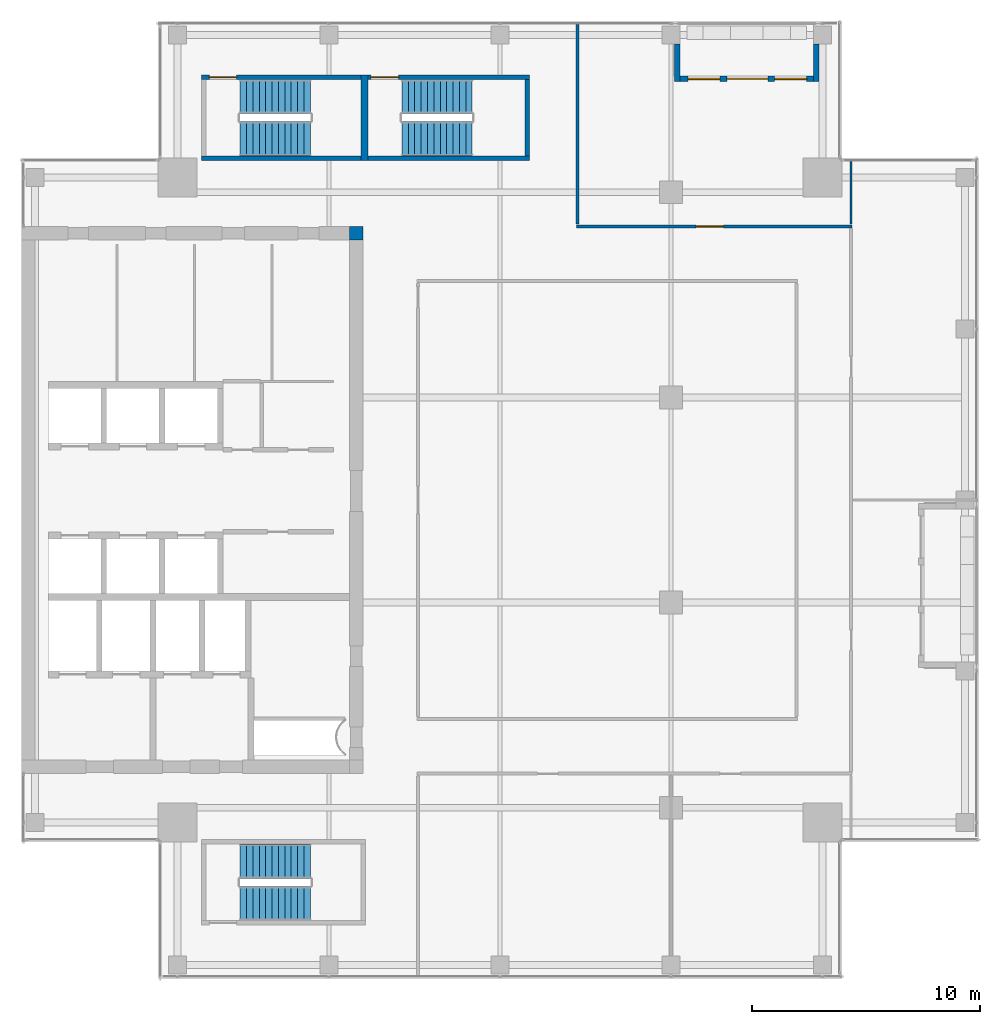
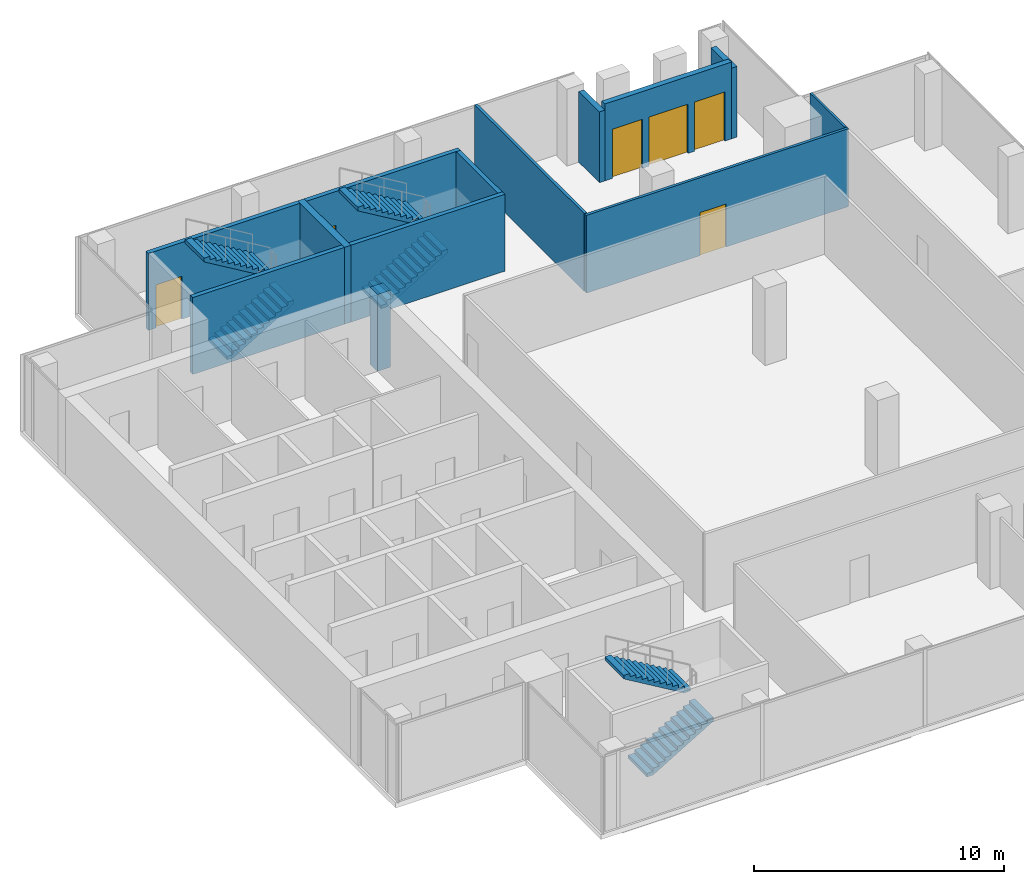
# One storey, part 27 of 29: 13 walls, 6 stair flights, 4 doors, 2 windows, 6 openings, 3 elements without a shape of their own.
"""IFC4 building model written with IfcOpenShell, lengths in metres."""

from ifc_helpers import new_model, si_unit, direction, frame, frame_2d, origin, place, context, subcontext, project, spatial, polyline, rectangle, outline, extrude, source, transform, mapped, material, layer, layer_set, type_object, element, fill, aggregate, save


model = new_model("IFC4")

# Units and contexts
model_context = context("Model", 3, precision=1e-05, world=origin(), true_north=direction((0.0, 1.0)))
body_context = subcontext(model_context, "Body", "Model", "MODEL_VIEW")
ifc_project = project(units=[si_unit("LENGTHUNIT", "METRE"), si_unit("AREAUNIT", "SQUARE_METRE"), si_unit("VOLUMEUNIT", "CUBIC_METRE"), si_unit("PLANEANGLEUNIT", "RADIAN"), si_unit("MASSUNIT", "GRAM", prefix="KILO")], contexts=[model_context])

# Site, building, storey
site_placement = place(None, origin())
site = spatial("IfcSite", under=ifc_project, at=site_placement, CompositionType="ELEMENT")
building_placement = place(site_placement, origin())
building = spatial("IfcBuilding", under=site, at=building_placement, Name="Khomas Fold Tower", CompositionType="ELEMENT")
storey_placement = place(building_placement, frame((0.0, 0.0, 322.199951171875)))
storey = spatial("IfcBuildingStorey", under=building, at=storey_placement, Name="L73", CompositionType="ELEMENT", Elevation=322.199951171875)

# Wall, opening, door
ifc_material_1 = material(Name="Concrete C50/60", Category="concrete")
ifc_layer_1 = layer(ifc_material_1, 0.199951171875)
ifc_layer_set_1 = layer_set([ifc_layer_1], Name="Concrete C50/60")
wall_type_1 = type_object("IfcWallType", Name="Stair wall 200", PredefinedType="SHEAR", material=ifc_layer_set_1)
shared_shape_1 = source(origin(), body_context, "Body", "SweptSolid", [
    extrude(rectangle(XDim=7.0, YDim=0.199951171875, at=frame_2d((3.5, 0.0))), origin(), (0.0, 0.0, 1.0), 3.75),
])
wall_1_placement = place(storey_placement, frame((13.89990234375, 45.550048828125, 0.0), z_axis=(0.0, 0.0, 1.0), x_axis=(1.0, 0.0, 0.0)))
wall_1 = element("IfcWall", 1, at=wall_1_placement, inside=storey, type_object=wall_type_1, Name="Stair wall SW-ST1-N", PredefinedType="SHEAR", context=body_context, shape_type="MappedRepresentation", body=[
    mapped(shared_shape_1, transform((0.0, 0.0, 0.0))),
])
shared_shape_2 = source(origin(), body_context, "Body", "SweptSolid", [
    extrude(rectangle(XDim=1.199951171875, YDim=2.10009765625, at=frame_2d((0.60009765625, 1.050048828125))), frame((0.0, 0.10986328125, 0.0), z_axis=(0.0, -1.0, 0.0), x_axis=(1.0, 0.0, 0.0)), (0.0, 0.0, 1.0), 0.219970703125),
])
opening_1_placement = place(wall_1_placement, frame((0.35009765625, 0.0, 0.0)))
opening_1 = element("IfcOpeningElement", 2, at=opening_1_placement, cuts=wall_1, Name="Opening SD-ST1", PredefinedType="OPENING", context=body_context, shape_type="MappedRepresentation", body=[
    mapped(shared_shape_2, transform((0.0, 0.0, 0.0))),
])
ifc_material_2 = material(Name="Steel door leaf", Category="steel")
door_type_1 = type_object("IfcDoorType", Name="Stair door 1200x2100 left-hand", OperationType="SINGLE_SWING_LEFT", PredefinedType="DOOR", material=ifc_material_2)
shared_shape_3 = source(origin(), body_context, "Body", "SweptSolid", [
    extrude(rectangle(XDim=1.199951171875, YDim=2.10009765625, at=frame_2d((0.60009765625, 1.050048828125))), frame((0.0, 0.02490234375, 0.0), z_axis=(0.0, -1.0, 0.0), x_axis=(1.0, 0.0, 0.0)), (0.0, 0.0, 1.0), 0.050048828125),
])
door_1_placement = place(opening_1_placement, origin())
door_1 = element("IfcDoor", 3, at=door_1_placement, inside=storey, type_object=door_type_1, Name="Stair door", OperationType="SINGLE_SWING_LEFT", OverallHeight=2.10009765625, OverallWidth=1.199951171875, PredefinedType="DOOR", context=body_context, shape_type="MappedRepresentation", body=[
    mapped(shared_shape_3, transform((0.0, 0.0, 0.0))),
])
fill(opening_1, door_1)

# Wall
wall_2_placement = place(storey_placement, frame((13.89990234375, 42.0, 0.0), z_axis=(0.0, 0.0, 1.0), x_axis=(1.0, 0.0, 0.0)))
element("IfcWall", 4, at=wall_2_placement, inside=storey, type_object=wall_type_1, Name="Stair wall SW-ST1-S", PredefinedType="SHEAR", context=body_context, shape_type="MappedRepresentation", body=[
    mapped(shared_shape_1, transform((0.0, 0.0, 0.0))),
])

# Wall, opening, door
shared_shape_4 = source(origin(), body_context, "Body", "SweptSolid", [
    extrude(rectangle(XDim=7.10009765625, YDim=0.199951171875, at=frame_2d((3.550048828125, 0.0))), origin(), (0.0, 0.0, 1.0), 3.75),
])
wall_3_placement = place(storey_placement, frame((21.199951171875, 45.550048828125, 0.0), z_axis=(0.0, 0.0, 1.0), x_axis=(1.0, 0.0, 0.0)))
wall_3 = element("IfcWall", 5, at=wall_3_placement, inside=storey, type_object=wall_type_1, Name="Stair wall SW-ST3-N", PredefinedType="SHEAR", context=body_context, shape_type="MappedRepresentation", body=[
    mapped(shared_shape_4, transform((0.0, 0.0, 0.0))),
])
opening_2_placement = place(wall_3_placement, frame((0.14990234375, 0.0, 0.0)))
opening_2 = element("IfcOpeningElement", 6, at=opening_2_placement, cuts=wall_3, Name="Opening SD-ST3", PredefinedType="OPENING", context=body_context, shape_type="MappedRepresentation", body=[
    mapped(shared_shape_2, transform((0.0, 0.0, 0.0))),
])
door_2_placement = place(opening_2_placement, origin())
door_2 = element("IfcDoor", 7, at=door_2_placement, inside=storey, type_object=door_type_1, Name="Stair door", OperationType="SINGLE_SWING_LEFT", OverallHeight=2.10009765625, OverallWidth=1.199951171875, PredefinedType="DOOR", context=body_context, shape_type="MappedRepresentation", body=[
    mapped(shared_shape_3, transform((0.0, 0.0, 0.0))),
])
fill(opening_2, door_2)

# Walls
wall_4_placement = place(storey_placement, frame((21.199951171875, 42.0, 0.0), z_axis=(0.0, 0.0, 1.0), x_axis=(1.0, 0.0, 0.0)))
element("IfcWall", 8, at=wall_4_placement, inside=storey, type_object=wall_type_1, Name="Stair wall SW-ST3-S", PredefinedType="SHEAR", context=body_context, shape_type="MappedRepresentation", body=[
    mapped(shared_shape_4, transform((0.0, 0.0, 0.0))),
])
ifc_material_3 = material(Name="Concrete C50/60", Category="concrete")
ifc_layer_2 = layer(ifc_material_3, 0.300048828125)
ifc_layer_set_2 = layer_set([ifc_layer_2], Name="Concrete C50/60")
wall_type_2 = type_object("IfcWallType", Name="Stair wall 300", PredefinedType="SHEAR", material=ifc_layer_set_2)
shared_shape_5 = source(origin(), body_context, "Body", "SweptSolid", [
    extrude(rectangle(XDim=3.75, YDim=0.300048828125, at=frame_2d((1.875, 0.0))), origin(), (0.0, 0.0, 1.0), 3.75),
])
wall_5_placement = place(storey_placement, frame((21.050048828125, 41.89990234375, 0.0), z_axis=(0.0, 0.0, 1.0), x_axis=(0.0, 1.0, 0.0)))
element("IfcWall", 9, at=wall_5_placement, inside=storey, type_object=wall_type_2, Name="Stair wall SW-ST1-E", PredefinedType="SHEAR", context=body_context, shape_type="MappedRepresentation", body=[
    mapped(shared_shape_5, transform((0.0, 0.0, 0.0))),
])
shared_shape_6 = source(origin(), body_context, "Body", "SweptSolid", [
    extrude(rectangle(XDim=3.349853515625, YDim=0.199951171875, at=frame_2d((1.6748046875, 0.0))), origin(), (0.0, 0.0, 1.0), 3.75),
])
wall_6_placement = place(storey_placement, frame((28.199951171875, 42.10009765625, 0.0), z_axis=(0.0, 0.0, 1.0), x_axis=(0.0, 1.0, 0.0)))
element("IfcWall", 10, at=wall_6_placement, inside=storey, type_object=wall_type_1, Name="Stair wall SW-ST3-E", PredefinedType="SHEAR", context=body_context, shape_type="MappedRepresentation", body=[
    mapped(shared_shape_6, transform((0.0, 0.0, 0.0))),
])
ifc_material_4 = material(Name="Concrete C50/60", Category="concrete")
ifc_layer_3 = layer(ifc_material_4, 0.60009765625)
ifc_layer_set_3 = layer_set([ifc_layer_3], Name="Concrete C50/60")
wall_type_3 = type_object("IfcWallType", Name="Core corner wall 600", PredefinedType="SHEAR", material=ifc_layer_set_3)
shared_shape_7 = source(origin(), body_context, "Body", "SweptSolid", [
    extrude(rectangle(XDim=0.60009765625, YDim=0.60009765625, at=frame_2d((0.300048828125, 0.0))), origin(), (0.0, 0.0, 1.0), 3.75),
])
wall_7_placement = place(storey_placement, frame((20.39990234375, 38.699951171875, 0.0), z_axis=(0.0, 0.0, 1.0), x_axis=(1.0, 0.0, 0.0)))
element("IfcWall", 11, at=wall_7_placement, inside=storey, type_object=wall_type_3, Name="Core wall CW-U-NE-L63", PredefinedType="SHEAR", context=body_context, shape_type="MappedRepresentation", body=[
    mapped(shared_shape_7, transform((0.0, 0.0, 0.0))),
])

# Wall, openings, door, windows
ifc_material_5 = material(Name="Natural stone", Category="masonry")
ifc_layer_4 = layer(ifc_material_5, 0.0400390625)
ifc_material_6 = material(Name="Mineral wool insulation", Category="insulation")
ifc_layer_5 = layer(ifc_material_6, 0.10009765625)
ifc_material_7 = material(Name="Masonry", Category="masonry")
ifc_layer_6 = layer(ifc_material_7, 0.110107421875)
ifc_layer_set_4 = layer_set([ifc_layer_4, ifc_layer_5, ifc_layer_6], Name="Stone-faced insulated masonry")
wall_type_4 = type_object("IfcWallType", Name="BL-Balcony wall", PredefinedType="SOLIDWALL", material=ifc_layer_set_4)
shared_shape_8 = source(origin(), body_context, "Body", "SweptSolid", [
    extrude(rectangle(XDim=5.85009765625, YDim=0.25, at=frame_2d((2.925048828125, 0.0))), origin(), (0.0, 0.0, 1.0), 3.75),
])
wall_8_placement = place(storey_placement, frame((34.89990234375, 45.47509765625, 0.0), z_axis=(0.0, 0.0, 1.0), x_axis=(1.0, 0.0, 0.0)))
wall_8 = element("IfcWall", 12, at=wall_8_placement, inside=storey, type_object=wall_type_4, Name="Balcony wall BAL-L73-N4", PredefinedType="SOLIDWALL", context=body_context, shape_type="MappedRepresentation", body=[
    mapped(shared_shape_8, transform((0.0, 0.0, 0.0))),
])
shared_shape_9 = source(origin(), body_context, "Body", "SweptSolid", [
    extrude(rectangle(XDim=1.39990234375, YDim=2.39990234375, at=frame_2d((0.699951171875, 1.199951171875))), frame((0.0, 0.135009765625, 0.0), z_axis=(0.0, -1.0, 0.0), x_axis=(1.0, 0.0, 0.0)), (0.0, 0.0, 1.0), 0.27001953125),
])
opening_3_placement = place(wall_8_placement, frame((0.35009765625, 0.0, 0.0)))
opening_3 = element("IfcOpeningElement", 13, at=opening_3_placement, cuts=wall_8, Name="Opening BL-W6", PredefinedType="OPENING", context=body_context, shape_type="MappedRepresentation", body=[
    mapped(shared_shape_9, transform((0.0, 0.0, 0.0))),
])
opening_4_placement = place(wall_8_placement, frame((4.14990234375, 0.0, 0.0)))
opening_4 = element("IfcOpeningElement", 14, at=opening_4_placement, cuts=wall_8, Name="Opening BL-W6", PredefinedType="OPENING", context=body_context, shape_type="MappedRepresentation", body=[
    mapped(shared_shape_9, transform((0.0, 0.0, 0.0))),
])
shared_shape_10 = source(origin(), body_context, "Body", "SweptSolid", [
    extrude(rectangle(XDim=1.800048828125, YDim=2.39990234375, at=frame_2d((0.89990234375, 1.199951171875))), frame((0.0, 0.135009765625, 0.0), z_axis=(0.0, -1.0, 0.0), x_axis=(1.0, 0.0, 0.0)), (0.0, 0.0, 1.0), 0.27001953125),
])
opening_5_placement = place(wall_8_placement, frame((2.050048828125, 0.0, 0.0)))
opening_5 = element("IfcOpeningElement", 15, at=opening_5_placement, cuts=wall_8, Name="Opening BD732", PredefinedType="OPENING", context=body_context, shape_type="MappedRepresentation", body=[
    mapped(shared_shape_10, transform((0.0, 0.0, 0.0))),
])
ifc_material_8 = material(Name="Aluminium framed double glazing", Category="aluminium")
door_type_2 = type_object("IfcDoorType", Name="BL-Glazed balcony door 1800 x 2400", OperationType="DOUBLE_DOOR_DOUBLE_SWING", PredefinedType="DOOR", material=ifc_material_8)
shared_shape_11 = source(origin(), body_context, "Body", "SweptSolid", [
    extrude(rectangle(XDim=1.800048828125, YDim=2.39990234375, at=frame_2d((0.89990234375, 1.199951171875))), frame((0.0, 0.02490234375, 0.0), z_axis=(0.0, -1.0, 0.0), x_axis=(1.0, 0.0, 0.0)), (0.0, 0.0, 1.0), 0.050048828125),
])
door_3_placement = place(opening_5_placement, origin())
door_3 = element("IfcDoor", 16, at=door_3_placement, inside=storey, type_object=door_type_2, Name="Balcony door BD732", OperationType="DOUBLE_DOOR_DOUBLE_SWING", OverallHeight=2.39990234375, OverallWidth=1.800048828125, PredefinedType="DOOR", context=body_context, shape_type="MappedRepresentation", body=[
    mapped(shared_shape_11, transform((0.0, 0.0, 0.0))),
])
fill(opening_5, door_3)
ifc_material_9 = material(Name="Aluminium framed double glazing", Category="aluminium")
window_type = type_object("IfcWindowType", Name="BL-Fixed glazing 1400 x 2400", PartitioningType="SINGLE_PANEL", PredefinedType="WINDOW", material=ifc_material_9)
shared_shape_12 = source(origin(), body_context, "Body", "SweptSolid", [
    extrude(rectangle(XDim=1.39990234375, YDim=2.39990234375, at=frame_2d((0.699951171875, 1.199951171875))), frame((0.0, 0.030029296875, 0.0), z_axis=(0.0, -1.0, 0.0), x_axis=(1.0, 0.0, 0.0)), (0.0, 0.0, 1.0), 0.06005859375),
])
window_1_placement = place(opening_3_placement, origin())
window_1 = element("IfcWindow", 17, at=window_1_placement, inside=storey, type_object=window_type, Name="Balcony glazing BAL-L73-N4-1", OverallHeight=2.39990234375, OverallWidth=1.39990234375, PartitioningType="SINGLE_PANEL", PredefinedType="WINDOW", context=body_context, shape_type="MappedRepresentation", body=[
    mapped(shared_shape_12, transform((0.0, 0.0, 0.0))),
])
fill(opening_3, window_1)
window_2_placement = place(opening_4_placement, origin())
window_2 = element("IfcWindow", 18, at=window_2_placement, inside=storey, type_object=window_type, Name="Balcony glazing BAL-L73-N4-2", OverallHeight=2.39990234375, OverallWidth=1.39990234375, PartitioningType="SINGLE_PANEL", PredefinedType="WINDOW", context=body_context, shape_type="MappedRepresentation", body=[
    mapped(shared_shape_12, transform((0.0, 0.0, 0.0))),
])
fill(opening_4, window_2)

# Walls
shared_shape_13 = source(origin(), body_context, "Body", "SweptSolid", [
    extrude(rectangle(XDim=1.64990234375, YDim=0.25, at=frame_2d((0.824951171875, 0.0))), origin(), (0.0, 0.0, 1.0), 3.449951171875),
])
for number, where, z_axis, x_axis, name in (
    (19, (34.77490234375, 47.0, 0.0), (0.0, 0.0, 1.0), (0.0, -1.0, 0.0), "Balcony return wall BAL-L73-N4-lo"),
    (20, (40.875, 47.0, 0.0), (0.0, 0.0, 1.0), (0.0, -1.0, 0.0), "Balcony return wall BAL-L73-N4-hi"),
):
    element("IfcWall", number, at=place(storey_placement, frame(where, z_axis=z_axis, x_axis=x_axis)), inside=storey, type_object=wall_type_4, Name=name, PredefinedType="SOLIDWALL", context=body_context, shape_type="MappedRepresentation", body=[
        mapped(shared_shape_13, transform((0.0, 0.0, 0.0))),
    ])
ifc_material_10 = material(Name="Plasterboard partition")
ifc_layer_7 = layer(ifc_material_10, 0.125)
ifc_layer_set_5 = layer_set([ifc_layer_7], Name="Plasterboard partition")
wall_type_5 = type_object("IfcWallType", Name="Partition PW2 125", PredefinedType="PARTITIONING", material=ifc_layer_set_5)
shared_shape_14 = source(origin(), body_context, "Body", "SweptSolid", [
    extrude(rectangle(XDim=8.75, YDim=0.125, at=frame_2d((4.375, 0.0))), origin(), (0.0, 0.0, 1.0), 3.800048828125),
])
wall_9_placement = place(storey_placement, frame((30.39990234375, 39.10009765625, 0.0), z_axis=(0.0, 0.0, 1.0), x_axis=(0.0, 1.0, 0.0)))
element("IfcWall", 21, at=wall_9_placement, inside=storey, type_object=wall_type_5, Name="Partition", PredefinedType="PARTITIONING", context=body_context, shape_type="MappedRepresentation", body=[
    mapped(shared_shape_14, transform((0.0, 0.0, 0.0))),
])
ifc_material_11 = material(Name="Plasterboard partition")
ifc_layer_8 = layer(ifc_material_11, 0.10009765625)
ifc_layer_set_6 = layer_set([ifc_layer_8], Name="Plasterboard partition")
wall_type_6 = type_object("IfcWallType", Name="Partition PW1 100", PredefinedType="PARTITIONING", material=ifc_layer_set_6)
shared_shape_15 = source(origin(), body_context, "Body", "SweptSolid", [
    extrude(rectangle(XDim=2.75, YDim=0.10009765625, at=frame_2d((1.375, 0.0))), origin(), (0.0, 0.0, 1.0), 3.800048828125),
])
wall_10_placement = place(storey_placement, frame((42.39990234375, 39.10009765625, 0.0), z_axis=(0.0, 0.0, 1.0), x_axis=(0.0, 1.0, 0.0)))
element("IfcWall", 22, at=wall_10_placement, inside=storey, type_object=wall_type_6, Name="Partition", PredefinedType="PARTITIONING", context=body_context, shape_type="MappedRepresentation", body=[
    mapped(shared_shape_15, transform((0.0, 0.0, 0.0))),
])

# Wall, opening, door
shared_shape_16 = source(origin(), body_context, "Body", "SweptSolid", [
    extrude(rectangle(XDim=12.099853515625, YDim=0.125, at=frame_2d((6.0498046875, 0.0))), origin(), (0.0, 0.0, 1.0), 3.800048828125),
])
wall_11_placement = place(storey_placement, frame((30.35009765625, 39.0, 0.0), z_axis=(0.0, 0.0, 1.0), x_axis=(1.0, 0.0, 0.0)))
wall_11 = element("IfcWall", 23, at=wall_11_placement, inside=storey, type_object=wall_type_5, Name="Partition", PredefinedType="PARTITIONING", context=body_context, shape_type="MappedRepresentation", body=[
    mapped(shared_shape_16, transform((0.0, 0.0, 0.0))),
])
shared_shape_17 = source(origin(), body_context, "Body", "SweptSolid", [
    extrude(rectangle(XDim=1.199951171875, YDim=2.10009765625, at=frame_2d((0.60009765625, 1.050048828125))), frame((0.0, 0.072509765625, 0.0), z_axis=(0.0, -1.0, 0.0), x_axis=(1.0, 0.0, 0.0)), (0.0, 0.0, 1.0), 0.14501953125),
])
opening_6_placement = place(wall_11_placement, frame((5.25, 0.0, 0.0)))
opening_6 = element("IfcOpeningElement", 24, at=opening_6_placement, cuts=wall_11, Name="Opening 0013", PredefinedType="OPENING", context=body_context, shape_type="MappedRepresentation", body=[
    mapped(shared_shape_17, transform((0.0, 0.0, 0.0))),
])
ifc_material_12 = material(Name="Timber door leaf", Category="wood")
door_type_3 = type_object("IfcDoorType", Name="Door 1200x2100 left-hand", OperationType="SINGLE_SWING_LEFT", PredefinedType="DOOR", material=ifc_material_12)
door_4_placement = place(opening_6_placement, origin())
door_4 = element("IfcDoor", 25, at=door_4_placement, inside=storey, type_object=door_type_3, Name="Door", OperationType="SINGLE_SWING_LEFT", OverallHeight=2.10009765625, OverallWidth=1.199951171875, PredefinedType="DOOR", context=body_context, shape_type="MappedRepresentation", body=[
    mapped(shared_shape_3, transform((0.0, 0.0, 0.0))),
])
fill(opening_6, door_4)

# Stair, stair flights
ifc_material_13 = material(Name="Concrete C40/50", Category="concrete")
stair_type_1 = type_object("IfcStairType", Name="Stair ST1", PredefinedType="HALF_TURN_STAIR", material=ifc_material_13)
stair_1_placement = place(storey_placement, origin())
stair_1 = element("IfcStair", 26, at=stair_1_placement, inside=storey, type_object=stair_type_1, Name="L73 ST1", PredefinedType="HALF_TURN_STAIR")
ifc_material_14 = material(Name="Concrete C40/50", Category="concrete")
stair_flight_type_1 = type_object("IfcStairFlightType", Name="Stair flight 1500 ST1", PredefinedType="STRAIGHT", material=ifc_material_14)
shared_shape_18 = source(origin(), body_context, "Body", "SweptSolid", [
    extrude(outline(polyline([(0.0, 0.0), (0.0, 0.012939453125), (0.0, 0.025634765625), (0.0, 0.03857421875), (0.0, 0.05126953125), (0.0, 0.064208984375), (0.0, 0.076904296875), (0.0, 0.08984375), (0.0, 0.1025390625), (0.0, 0.115478515625), (0.0, 0.128173828125), (0.0, 0.14111328125), (0.0, 0.15380859375), (0.0, 0.166748046875), (0.280029296875, 0.166748046875), (0.280029296875, 0.333251953125), (0.56005859375, 0.333251953125), (0.56005859375, 0.5), (0.840087890625, 0.5), (0.840087890625, 0.666748046875), (1.1201171875, 0.666748046875), (1.1201171875, 0.833251953125), (1.39990234375, 0.833251953125), (1.39990234375, 1.0), (1.679931640625, 1.0), (1.679931640625, 1.166748046875), (1.9599609375, 1.166748046875), (1.9599609375, 1.333251953125), (2.239990234375, 1.333251953125), (2.239990234375, 1.5), (2.52001953125, 1.5), (2.52001953125, 1.666748046875), (2.800048828125, 1.666748046875), (2.800048828125, 1.833251953125), (3.080078125, 1.833251953125), (3.080078125, 2.0), (3.080078125, 1.973876953125), (3.080078125, 1.947509765625), (3.080078125, 1.92138671875), (3.080078125, 1.89501953125), (3.080078125, 1.868896484375), (3.080078125, 1.842529296875), (3.080078125, 1.81640625), (3.080078125, 1.7900390625), (3.080078125, 1.763916015625), (3.080078125, 1.737548828125), (3.080078125, 1.71142578125), (3.080078125, 1.68505859375), (3.080078125, 1.658935546875), (0.29296875, 0.0), (0.0, 0.0)])), frame((0.0, 0.75, 0.0), z_axis=(0.0, -1.0, 0.0), x_axis=(1.0, 0.0, 0.0)), (0.0, 0.0, 1.0), 1.5),
])
stair_flight_1_placement = place(storey_placement, frame((15.60009765625, 42.85009765625, 0.0), z_axis=(0.0, 0.0, 1.0), x_axis=(1.0, 0.0, 0.0)))
stair_flight_1 = element("IfcStairFlight", 27, at=stair_flight_1_placement, type_object=stair_flight_type_1, Name="ST1 flight 1", NumberOfRisers=12, NumberOfTreads=11, PredefinedType="STRAIGHT", RiserHeight=0.166666667, TreadLength=0.28, context=body_context, shape_type="MappedRepresentation", body=[
    mapped(shared_shape_18, transform((0.0, 0.0, 0.0))),
])
stair_flight_2_placement = place(storey_placement, frame((18.679931640625, 44.699951171875, 2.0), z_axis=(0.0, 0.0, 1.0), x_axis=(-1.0, 0.0, 0.0)))
stair_flight_2 = element("IfcStairFlight", 28, at=stair_flight_2_placement, type_object=stair_flight_type_1, Name="ST1 flight 2", NumberOfRisers=12, NumberOfTreads=11, PredefinedType="STRAIGHT", RiserHeight=0.166666667, TreadLength=0.28, context=body_context, shape_type="MappedRepresentation", body=[
    mapped(shared_shape_18, transform((0.0, 0.0, 0.0))),
])
aggregate(stair_1, [stair_flight_1, stair_flight_2])

ifc_material_15 = material(Name="Concrete C40/50", Category="concrete")
stair_type_2 = type_object("IfcStairType", Name="Stair ST2", PredefinedType="HALF_TURN_STAIR", material=ifc_material_15)
stair_2_placement = place(storey_placement, origin())
stair_2 = element("IfcStair", 29, at=stair_2_placement, inside=storey, type_object=stair_type_2, Name="L73 ST2", PredefinedType="HALF_TURN_STAIR")
ifc_material_16 = material(Name="Concrete C40/50", Category="concrete")
stair_flight_type_2 = type_object("IfcStairFlightType", Name="Stair flight 1500 ST2", PredefinedType="STRAIGHT", material=ifc_material_16)
stair_flight_3_placement = place(storey_placement, frame((15.60009765625, 9.300048828125, 0.0), z_axis=(0.0, 0.0, 1.0), x_axis=(1.0, 0.0, 0.0)))
stair_flight_3 = element("IfcStairFlight", 30, at=stair_flight_3_placement, type_object=stair_flight_type_2, Name="ST2 flight 1", NumberOfRisers=12, NumberOfTreads=11, PredefinedType="STRAIGHT", RiserHeight=0.166666667, TreadLength=0.28, context=body_context, shape_type="MappedRepresentation", body=[
    mapped(shared_shape_18, transform((0.0, 0.0, 0.0))),
])
stair_flight_4_placement = place(storey_placement, frame((18.679931640625, 11.14990234375, 2.0), z_axis=(0.0, 0.0, 1.0), x_axis=(-1.0, 0.0, 0.0)))
stair_flight_4 = element("IfcStairFlight", 31, at=stair_flight_4_placement, type_object=stair_flight_type_2, Name="ST2 flight 2", NumberOfRisers=12, NumberOfTreads=11, PredefinedType="STRAIGHT", RiserHeight=0.166666667, TreadLength=0.28, context=body_context, shape_type="MappedRepresentation", body=[
    mapped(shared_shape_18, transform((0.0, 0.0, 0.0))),
])
aggregate(stair_2, [stair_flight_3, stair_flight_4])

ifc_material_17 = material(Name="Concrete C40/50", Category="concrete")
stair_type_3 = type_object("IfcStairType", Name="Stair ST3", PredefinedType="HALF_TURN_STAIR", material=ifc_material_17)
stair_3_placement = place(storey_placement, origin())
stair_3 = element("IfcStair", 32, at=stair_3_placement, inside=storey, type_object=stair_type_3, Name="L73 ST3", PredefinedType="HALF_TURN_STAIR")
ifc_material_18 = material(Name="Concrete C40/50", Category="concrete")
stair_flight_type_3 = type_object("IfcStairFlightType", Name="Stair flight 1500 ST3", PredefinedType="STRAIGHT", material=ifc_material_18)
stair_flight_5_placement = place(storey_placement, frame((22.699951171875, 42.85009765625, 0.0), z_axis=(0.0, 0.0, 1.0), x_axis=(1.0, 0.0, 0.0)))
stair_flight_5 = element("IfcStairFlight", 33, at=stair_flight_5_placement, type_object=stair_flight_type_3, Name="ST3 flight 1", NumberOfRisers=12, NumberOfTreads=11, PredefinedType="STRAIGHT", RiserHeight=0.166666667, TreadLength=0.28, context=body_context, shape_type="MappedRepresentation", body=[
    mapped(shared_shape_18, transform((0.0, 0.0, 0.0))),
])
stair_flight_6_placement = place(storey_placement, frame((25.780029296875, 44.699951171875, 2.0), z_axis=(0.0, 0.0, 1.0), x_axis=(-1.0, 0.0, 0.0)))
stair_flight_6 = element("IfcStairFlight", 34, at=stair_flight_6_placement, type_object=stair_flight_type_3, Name="ST3 flight 2", NumberOfRisers=12, NumberOfTreads=11, PredefinedType="STRAIGHT", RiserHeight=0.166666667, TreadLength=0.28, context=body_context, shape_type="MappedRepresentation", body=[
    mapped(shared_shape_18, transform((0.0, 0.0, 0.0))),
])
aggregate(stair_3, [stair_flight_5, stair_flight_6])

save(model, "model.ifc")
